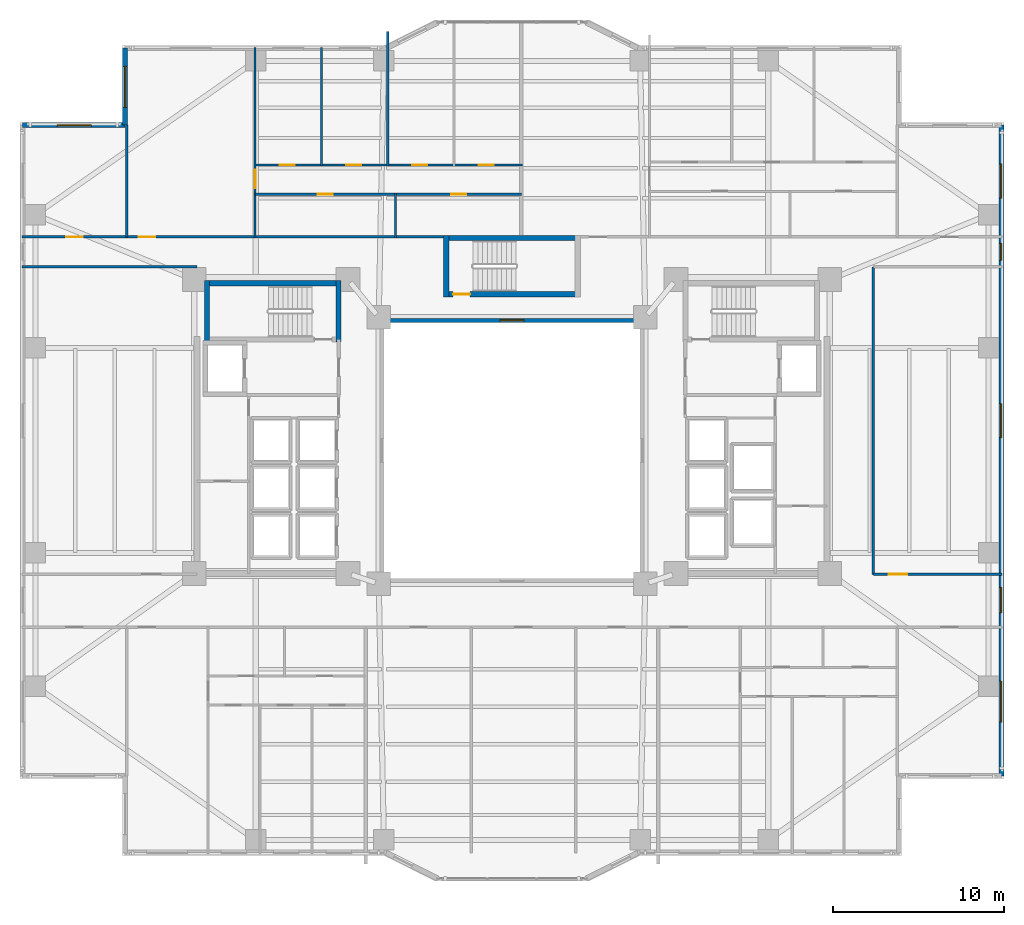
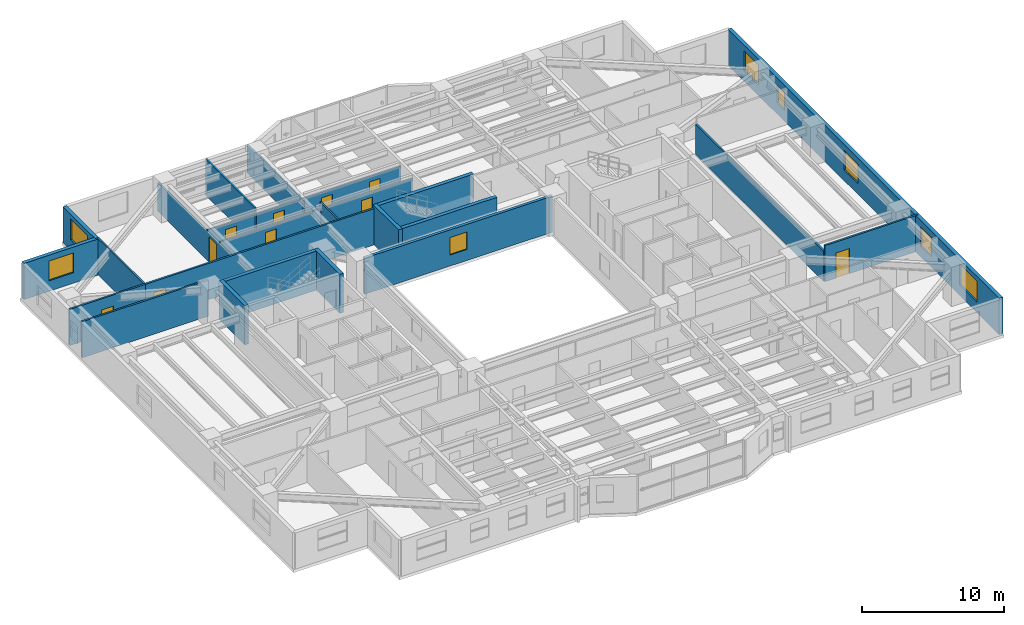
# One storey, part 13 of 20: 23 walls, 11 doors, 8 windows, 19 openings.
"""IFC4 building model written with IfcOpenShell, lengths in metres."""

from ifc_helpers import new_model, si_unit, direction, frame, frame_2d, origin, place, context, subcontext, project, spatial, rectangle, extrude, material, layer, layer_set, type_object, element, fill, save


model = new_model("IFC4")

# Units and contexts
model_context = context("Model", 3, precision=1e-05, world=origin(), true_north=direction((0.0, 1.0)))
body_context = subcontext(model_context, "Body", "Model", "MODEL_VIEW")
ifc_project = project(units=[si_unit("LENGTHUNIT", "METRE"), si_unit("AREAUNIT", "SQUARE_METRE"), si_unit("VOLUMEUNIT", "CUBIC_METRE"), si_unit("PLANEANGLEUNIT", "RADIAN"), si_unit("MASSUNIT", "GRAM", prefix="KILO")], contexts=[model_context])

# Site, building, storey
site_placement = place(None, origin())
site = spatial("IfcSite", under=ifc_project, at=site_placement, CompositionType="ELEMENT")
building_placement = place(site_placement, origin())
building = spatial("IfcBuilding", under=site, at=building_placement, Name="Tarnavaz Court Tower", CompositionType="ELEMENT")
storey_placement = place(building_placement, frame((0.0, 0.0, 34.050048828125)))
storey = spatial("IfcBuildingStorey", under=building, at=storey_placement, Name="L08", CompositionType="ELEMENT", Elevation=34.050048828125)

# Walls
ifc_material_1 = material(Name="Concrete C60/75", Category="concrete")
ifc_layer_1 = layer(ifc_material_1, 0.300048828125)
ifc_layer_set_1 = layer_set([ifc_layer_1], Name="Concrete C60/75")
wall_type_1 = type_object("IfcWallType", Name="WL-CORE-300-C60", PredefinedType="SHEAR", material=ifc_layer_set_1)
wall_1_placement = place(storey_placement, frame((-18.0, 9.7900390625, 0.0), z_axis=(0.0, 0.0, 1.0), x_axis=(1.0, 0.0, 0.0)))
element("IfcWall", 1, at=wall_1_placement, inside=storey, type_object=wall_type_1, Name="L08 West Stair Core Wall 001", PredefinedType="SHEAR", context=body_context, shape_type="SweptSolid", body=[
    extrude(rectangle(XDim=8.0, YDim=0.300048828125, at=frame_2d((4.0, 0.0))), origin(), (0.0, 0.0, 1.0), 3.349853515625),
])
for number, where, z_axis, x_axis, name in (
    (2, (-17.85009765625, 6.35009765625, 0.0), (0.0, 0.0, 1.0), (0.0, 1.0, 0.0), "L08 West Stair Core Wall 003"),
    (3, (-10.14990234375, 6.35009765625, 0.0), (0.0, 0.0, 1.0), (0.0, 1.0, 0.0), "L08 West Stair Core Wall 004"),
):
    element("IfcWall", number, at=place(storey_placement, frame(where, z_axis=z_axis, x_axis=x_axis)), inside=storey, type_object=wall_type_1, Name=name, PredefinedType="SHEAR", context=body_context, shape_type="SweptSolid", body=[
        extrude(rectangle(XDim=3.58984375, YDim=0.300048828125, at=frame_2d((1.794921875, 0.0))), origin(), (0.0, 0.0, 1.0), 3.349853515625),
    ])
wall_2_placement = place(storey_placement, frame((-4.0, 12.43994140625, 0.0), z_axis=(0.0, 0.0, 1.0), x_axis=(1.0, 0.0, 0.0)))
element("IfcWall", 4, at=wall_2_placement, inside=storey, type_object=wall_type_1, Name="L08 North Stair Core Wall 009", PredefinedType="SHEAR", context=body_context, shape_type="SweptSolid", body=[
    extrude(rectangle(XDim=8.0, YDim=0.300048828125, at=frame_2d((4.0, 0.0))), origin(), (0.0, 0.0, 1.0), 3.349853515625),
])

# Wall, opening, door
wall_3_placement = place(storey_placement, frame((-4.0, 9.14990234375, 0.0), z_axis=(0.0, 0.0, 1.0), x_axis=(1.0, 0.0, 0.0)))
wall_3 = element("IfcWall", 5, at=wall_3_placement, inside=storey, type_object=wall_type_1, Name="L08 North Stair Core Wall 010", PredefinedType="SHEAR", context=body_context, shape_type="SweptSolid", body=[
    extrude(rectangle(XDim=8.0, YDim=0.300048828125, at=frame_2d((4.0, 0.0))), origin(), (0.0, 0.0, 1.0), 3.349853515625),
])
opening_1_placement = place(wall_3_placement, frame((0.550048828125, 0.0, 0.0)))
opening_1 = element("IfcOpeningElement", 6, at=opening_1_placement, cuts=wall_3, Name="Opening D01", PredefinedType="OPENING", context=body_context, shape_type="SweptSolid", body=[
    extrude(rectangle(XDim=1.0, YDim=2.14990234375, at=frame_2d((0.5, 1.074951171875))), frame((0.0, 0.159912109375, 0.0), z_axis=(0.0, -1.0, 0.0), x_axis=(1.0, 0.0, 0.0)), (0.0, 0.0, 1.0), 0.320068359375),
])
ifc_material_2 = material(Name="Fire-Rated Hardwood Timber Core", Category="wood")
door_type_1 = type_object("IfcDoorType", Name="DR-FD90-1000", OperationType="NOTDEFINED", PredefinedType="DOOR", material=ifc_material_2)
door_1_placement = place(opening_1_placement, origin())
door_1 = element("IfcDoor", 7, at=door_1_placement, inside=storey, type_object=door_type_1, Name="L08 Stair ST-N1 Exit Door", OperationType="SINGLE_SWING_LEFT", OverallHeight=2.14990234375, OverallWidth=1.0, PredefinedType="DOOR", context=body_context, shape_type="SweptSolid", body=[
    extrude(rectangle(XDim=1.0, YDim=2.14990234375, at=frame_2d((0.5, 1.074951171875))), frame((0.0, 0.02490234375, 0.0), z_axis=(0.0, -1.0, 0.0), x_axis=(1.0, 0.0, 0.0)), (0.0, 0.0, 1.0), 0.050048828125),
])
fill(opening_1, door_1)

# Wall
wall_4_placement = place(storey_placement, frame((-3.85009765625, 9.0, 0.0), z_axis=(0.0, 0.0, 1.0), x_axis=(0.0, 1.0, 0.0)))
element("IfcWall", 8, at=wall_4_placement, inside=storey, type_object=wall_type_1, Name="L08 North Stair Core Wall 011", PredefinedType="SHEAR", context=body_context, shape_type="SweptSolid", body=[
    extrude(rectangle(XDim=3.590087890625, YDim=0.300048828125, at=frame_2d((1.794921875, 0.0))), origin(), (0.0, 0.0, 1.0), 3.349853515625),
])

# Wall, opening, window
ifc_material_3 = material(Name="Precast Concrete C40/50", Category="concrete")
ifc_layer_2 = layer(ifc_material_3, 0.300048828125)
ifc_layer_set_2 = layer_set([ifc_layer_2], Name="Precast Concrete C40/50")
wall_type_2 = type_object("IfcWallType", Name="WL-EXT-300", PredefinedType="SOLIDWALL", material=ifc_layer_set_2)
wall_5_placement = place(storey_placement, frame((-28.64990234375, 19.050048828125, 0.0), z_axis=(0.0, 0.0, 1.0), x_axis=(1.0, 0.0, 0.0)))
wall_5 = element("IfcWall", 9, at=wall_5_placement, inside=storey, type_object=wall_type_2, Name="L08 Exterior Terracotta Facade Wall 03", PredefinedType="SOLIDWALL", context=body_context, shape_type="SweptSolid", body=[
    extrude(rectangle(XDim=6.0, YDim=0.300048828125, at=frame_2d((3.0, 0.0))), origin(), (0.0, 0.0, 1.0), 3.099853515625),
])
opening_2_placement = place(wall_5_placement, frame((2.02490234375, 0.0, 0.89990234375)))
opening_2 = element("IfcOpeningElement", 10, at=opening_2_placement, cuts=wall_5, Name="Opening W08", PredefinedType="OPENING", context=body_context, shape_type="SweptSolid", body=[
    extrude(rectangle(XDim=2.0, YDim=1.699951171875, at=frame_2d((1.0, 0.85009765625))), frame((0.0, 0.159912109375, 0.0), z_axis=(0.0, -1.0, 0.0), x_axis=(1.0, 0.0, 0.0)), (0.0, 0.0, 1.0), 0.320068359375),
])
ifc_material_4 = material(Name="Double-Glazed Solar Low-E Glass", Category="glass")
window_type_1 = type_object("IfcWindowType", Name="WN-APT-2000", PartitioningType="DOUBLE_PANEL_VERTICAL", PredefinedType="WINDOW", material=ifc_material_4)
window_1_placement = place(opening_2_placement, origin())
window_1 = element("IfcWindow", 11, at=window_1_placement, inside=storey, type_object=window_type_1, Name="L08 North-West Corner Sunroom Study Window", OverallHeight=1.699951171875, OverallWidth=2.0, PartitioningType="SINGLE_PANEL", PredefinedType="WINDOW", context=body_context, shape_type="SweptSolid", body=[
    extrude(rectangle(XDim=2.0, YDim=1.699951171875, at=frame_2d((1.0, 0.85009765625))), frame((0.0, 0.030029296875, 0.0), z_axis=(0.0, -1.0, 0.0), x_axis=(1.0, 0.0, 0.0)), (0.0, 0.0, 1.0), 0.06005859375),
])
fill(opening_2, window_1)

wall_6_placement = place(storey_placement, frame((-22.64990234375, 19.050048828125, 0.0), z_axis=(0.0, 0.0, 1.0), x_axis=(0.0, 1.0, 0.0)))
wall_6 = element("IfcWall", 12, at=wall_6_placement, inside=storey, type_object=wall_type_2, Name="L08 Exterior Terracotta Facade Wall 04", PredefinedType="SOLIDWALL", context=body_context, shape_type="SweptSolid", body=[
    extrude(rectangle(XDim=4.5, YDim=0.300048828125, at=frame_2d((2.25, 0.0))), origin(), (0.0, 0.0, 1.0), 3.099853515625),
])
opening_3_placement = place(wall_6_placement, frame((1.032470703125, 0.0, 0.89990234375)))
opening_3 = element("IfcOpeningElement", 13, at=opening_3_placement, cuts=wall_6, Name="Opening W06", PredefinedType="OPENING", context=body_context, shape_type="SweptSolid", body=[
    extrude(rectangle(XDim=2.39990234375, YDim=1.800048828125, at=frame_2d((1.199951171875, 0.89990234375))), frame((0.0, 0.159912109375, 0.0), z_axis=(0.0, -1.0, 0.0), x_axis=(1.0, 0.0, 0.0)), (0.0, 0.0, 1.0), 0.320068359375),
])
window_type_2 = type_object("IfcWindowType", Name="WN-APT-2400", PartitioningType="TRIPLE_PANEL_VERTICAL", PredefinedType="WINDOW", material=ifc_material_4)
window_2_placement = place(opening_3_placement, origin())
window_2 = element("IfcWindow", 14, at=window_2_placement, inside=storey, type_object=window_type_2, Name="L08 Flat 01 Living and Dining Room Window", OverallHeight=1.800048828125, OverallWidth=2.39990234375, PartitioningType="SINGLE_PANEL", PredefinedType="WINDOW", context=body_context, shape_type="SweptSolid", body=[
    extrude(rectangle(XDim=2.39990234375, YDim=1.800048828125, at=frame_2d((1.199951171875, 0.89990234375))), frame((0.0, 0.030029296875, 0.0), z_axis=(0.0, -1.0, 0.0), x_axis=(1.0, 0.0, 0.0)), (0.0, 0.0, 1.0), 0.06005859375),
])
fill(opening_3, window_2)

# Wall, openings, windows
wall_7_placement = place(storey_placement, frame((28.64990234375, 19.050048828125, 0.0), z_axis=(0.0, 0.0, 1.0), x_axis=(0.0, -1.0, 0.0)))
wall_7 = element("IfcWall", 15, at=wall_7_placement, inside=storey, type_object=wall_type_2, Name="L08 Exterior Terracotta Facade Wall 12", PredefinedType="SOLIDWALL", context=body_context, shape_type="SweptSolid", body=[
    extrude(rectangle(XDim=38.10009765625, YDim=0.300048828125, at=frame_2d((19.050048828125, 0.0))), origin(), (0.0, 0.0, 1.0), 3.099853515625),
])
opening_4_placement = place(wall_7_placement, frame((2.27490234375, 0.0, 0.89990234375)))
opening_4 = element("IfcOpeningElement", 16, at=opening_4_placement, cuts=wall_7, Name="Opening W08", PredefinedType="OPENING", context=body_context, shape_type="SweptSolid", body=[
    extrude(rectangle(XDim=2.0, YDim=1.699951171875, at=frame_2d((1.0, 0.85009765625))), frame((0.0, 0.159912109375, 0.0), z_axis=(0.0, -1.0, 0.0), x_axis=(1.0, 0.0, 0.0)), (0.0, 0.0, 1.0), 0.320068359375),
])
opening_5_placement = place(wall_7_placement, frame((6.925048828125, 0.0, 0.949951171875)))
opening_5 = element("IfcOpeningElement", 17, at=opening_5_placement, cuts=wall_7, Name="Opening W14", PredefinedType="OPENING", context=body_context, shape_type="SweptSolid", body=[
    extrude(rectangle(XDim=1.0, YDim=1.5, at=frame_2d((0.5, 0.75))), frame((0.0, 0.159912109375, 0.0), z_axis=(0.0, -1.0, 0.0), x_axis=(1.0, 0.0, 0.0)), (0.0, 0.0, 1.0), 0.320068359375),
])
opening_6_placement = place(wall_7_placement, frame((16.300048828125, 0.0, 0.89990234375)))
opening_6 = element("IfcOpeningElement", 18, at=opening_6_placement, cuts=wall_7, Name="Opening W08", PredefinedType="OPENING", context=body_context, shape_type="SweptSolid", body=[
    extrude(rectangle(XDim=2.0, YDim=1.699951171875, at=frame_2d((1.0, 0.85009765625))), frame((0.0, 0.159912109375, 0.0), z_axis=(0.0, -1.0, 0.0), x_axis=(1.0, 0.0, 0.0)), (0.0, 0.0, 1.0), 0.320068359375),
])
opening_7_placement = place(wall_7_placement, frame((27.0576171875, 0.0, 0.89990234375)))
opening_7 = element("IfcOpeningElement", 19, at=opening_7_placement, cuts=wall_7, Name="Opening W03", PredefinedType="OPENING", context=body_context, shape_type="SweptSolid", body=[
    extrude(rectangle(XDim=1.5, YDim=1.64990234375, at=frame_2d((0.75, 0.824951171875))), frame((0.0, 0.159912109375, 0.0), z_axis=(0.0, -1.0, 0.0), x_axis=(1.0, 0.0, 0.0)), (0.0, 0.0, 1.0), 0.320068359375),
])
opening_8_placement = place(wall_7_placement, frame((32.550048828125, 0.0, 0.89990234375)))
opening_8 = element("IfcOpeningElement", 20, at=opening_8_placement, cuts=wall_7, Name="Opening W06", PredefinedType="OPENING", context=body_context, shape_type="SweptSolid", body=[
    extrude(rectangle(XDim=2.39990234375, YDim=1.800048828125, at=frame_2d((1.199951171875, 0.89990234375))), frame((0.0, 0.159912109375, 0.0), z_axis=(0.0, -1.0, 0.0), x_axis=(1.0, 0.0, 0.0)), (0.0, 0.0, 1.0), 0.320068359375),
])
window_type_3 = type_object("IfcWindowType", Name="WN-APT-1000", PartitioningType="SINGLE_PANEL", PredefinedType="WINDOW", material=ifc_material_4)
window_3_placement = place(opening_5_placement, origin())
window_3 = element("IfcWindow", 21, at=window_3_placement, inside=storey, type_object=window_type_3, Name="L08 North-East Corner Corridor Window", OverallHeight=1.5, OverallWidth=1.0, PartitioningType="SINGLE_PANEL", PredefinedType="WINDOW", context=body_context, shape_type="SweptSolid", body=[
    extrude(rectangle(XDim=1.0, YDim=1.5, at=frame_2d((0.5, 0.75))), frame((0.0, 0.030029296875, 0.0), z_axis=(0.0, -1.0, 0.0), x_axis=(1.0, 0.0, 0.0)), (0.0, 0.0, 1.0), 0.06005859375),
])
fill(opening_5, window_3)
window_type_4 = type_object("IfcWindowType", Name="WN-APT-1500", PartitioningType="DOUBLE_PANEL_VERTICAL", PredefinedType="WINDOW", material=ifc_material_4)
window_4_placement = place(opening_7_placement, origin())
window_4 = element("IfcWindow", 22, at=window_4_placement, inside=storey, type_object=window_type_4, Name="L08 South-East Corner Corridor Window", OverallHeight=1.64990234375, OverallWidth=1.5, PartitioningType="SINGLE_PANEL", PredefinedType="WINDOW", context=body_context, shape_type="SweptSolid", body=[
    extrude(rectangle(XDim=1.5, YDim=1.64990234375, at=frame_2d((0.75, 0.824951171875))), frame((0.0, 0.030029296875, 0.0), z_axis=(0.0, -1.0, 0.0), x_axis=(1.0, 0.0, 0.0)), (0.0, 0.0, 1.0), 0.06005859375),
])
fill(opening_7, window_4)
window_5_placement = place(opening_4_placement, origin())
window_5 = element("IfcWindow", 23, at=window_5_placement, inside=storey, type_object=window_type_1, Name="L08 North-East Corner Sunroom Study Window", OverallHeight=1.699951171875, OverallWidth=2.0, PartitioningType="SINGLE_PANEL", PredefinedType="WINDOW", context=body_context, shape_type="SweptSolid", body=[
    extrude(rectangle(XDim=2.0, YDim=1.699951171875, at=frame_2d((1.0, 0.85009765625))), frame((0.0, 0.030029296875, 0.0), z_axis=(0.0, -1.0, 0.0), x_axis=(1.0, 0.0, 0.0)), (0.0, 0.0, 1.0), 0.06005859375),
])
fill(opening_4, window_5)
window_6_placement = place(opening_6_placement, origin())
window_6 = element("IfcWindow", 24, at=window_6_placement, inside=storey, type_object=window_type_1, Name="L08 East Wing Resident Fitness Lounge Window", OverallHeight=1.699951171875, OverallWidth=2.0, PartitioningType="SINGLE_PANEL", PredefinedType="WINDOW", context=body_context, shape_type="SweptSolid", body=[
    extrude(rectangle(XDim=2.0, YDim=1.699951171875, at=frame_2d((1.0, 0.85009765625))), frame((0.0, 0.030029296875, 0.0), z_axis=(0.0, -1.0, 0.0), x_axis=(1.0, 0.0, 0.0)), (0.0, 0.0, 1.0), 0.06005859375),
])
fill(opening_6, window_6)
window_7_placement = place(opening_8_placement, origin())
window_7 = element("IfcWindow", 25, at=window_7_placement, inside=storey, type_object=window_type_2, Name="L08 South-East Corner Reading Room Window", OverallHeight=1.800048828125, OverallWidth=2.39990234375, PartitioningType="SINGLE_PANEL", PredefinedType="WINDOW", context=body_context, shape_type="SweptSolid", body=[
    extrude(rectangle(XDim=2.39990234375, YDim=1.800048828125, at=frame_2d((1.199951171875, 0.89990234375))), frame((0.0, 0.030029296875, 0.0), z_axis=(0.0, -1.0, 0.0), x_axis=(1.0, 0.0, 0.0)), (0.0, 0.0, 1.0), 0.06005859375),
])
fill(opening_8, window_7)

# Wall, opening, door
ifc_material_5 = material(Name="Gypsum Fire-Board on Acoustic Metal Stud", Category="masonry")
ifc_layer_3 = layer(ifc_material_5, 0.14990234375)
ifc_layer_set_3 = layer_set([ifc_layer_3], Name="Gypsum Fire-Board on Acoustic Metal Stud")
wall_type_3 = type_object("IfcWallType", Name="WL-FIRE-150", PredefinedType="PARTITIONING", material=ifc_layer_set_3)
wall_8_placement = place(storey_placement, frame((-22.550048828125, 12.5, 0.0), z_axis=(0.0, 0.0, 1.0), x_axis=(1.0, 0.0, 0.0)))
wall_8 = element("IfcWall", 26, at=wall_8_placement, inside=storey, type_object=wall_type_3, Name="L08 NW Wing Corridor Wall 081", PredefinedType="PARTITIONING", context=body_context, shape_type="SweptSolid", body=[
    extrude(rectangle(XDim=18.699951171875, YDim=0.14990234375, at=frame_2d((9.35009765625, 0.0))), origin(), (0.0, 0.0, 1.0), 3.099853515625),
])
opening_9_placement = place(wall_8_placement, frame((0.699951171875, 0.0, 0.0)))
opening_9 = element("IfcOpeningElement", 27, at=opening_9_placement, cuts=wall_8, Name="Opening D06", PredefinedType="OPENING", context=body_context, shape_type="SweptSolid", body=[
    extrude(rectangle(XDim=0.9599609375, YDim=2.14990234375, at=frame_2d((0.47998046875, 1.074951171875))), frame((0.0, 0.0849609375, 0.0), z_axis=(0.0, -1.0, 0.0), x_axis=(1.0, 0.0, 0.0)), (0.0, 0.0, 1.0), 0.169921875),
])
door_type_2 = type_object("IfcDoorType", Name="DR-FD60-950", OperationType="NOTDEFINED", PredefinedType="DOOR", material=ifc_material_2)
door_2_placement = place(opening_9_placement, origin())
door_2 = element("IfcDoor", 28, at=door_2_placement, inside=storey, type_object=door_type_2, Name="L08 Flat 01 Entrance Door", OperationType="SINGLE_SWING_LEFT", OverallHeight=2.14990234375, OverallWidth=0.9599609375, PredefinedType="DOOR", context=body_context, shape_type="SweptSolid", body=[
    extrude(rectangle(XDim=0.9599609375, YDim=2.14990234375, at=frame_2d((0.47998046875, 1.074951171875))), frame((0.0, 0.02490234375, 0.0), z_axis=(0.0, -1.0, 0.0), x_axis=(1.0, 0.0, 0.0)), (0.0, 0.0, 1.0), 0.050048828125),
])
fill(opening_9, door_2)

# Walls
wall_9_placement = place(storey_placement, frame((21.14990234375, -7.25, 0.0), z_axis=(0.0, 0.0, 1.0), x_axis=(0.0, 1.0, 0.0)))
element("IfcWall", 29, at=wall_9_placement, inside=storey, type_object=wall_type_3, Name="L08 East Outer Link Wall 083", PredefinedType="PARTITIONING", context=body_context, shape_type="SweptSolid", body=[
    extrude(rectangle(XDim=18.0, YDim=0.14990234375, at=frame_2d((9.0, 0.0))), origin(), (0.0, 0.0, 1.0), 2.5849609375),
])
wall_10_placement = place(storey_placement, frame((-28.679931640625, 10.75, 0.0), z_axis=(0.0, 0.0, 1.0), x_axis=(1.0, 0.0, 0.0)))
element("IfcWall", 30, at=wall_10_placement, inside=storey, type_object=wall_type_3, Name="L08 Interior Partition 122", PredefinedType="PARTITIONING", context=body_context, shape_type="SweptSolid", body=[
    extrude(rectangle(XDim=10.22998046875, YDim=0.14990234375, at=frame_2d((5.114990234375, 0.0))), origin(), (0.0, 0.0, 1.0), 3.099853515625),
])

# Wall, opening, door
wall_11_placement = place(storey_placement, frame((21.14990234375, -7.25, 0.0), z_axis=(0.0, 0.0, 1.0), x_axis=(1.0, 0.0, 0.0)))
wall_11 = element("IfcWall", 31, at=wall_11_placement, inside=storey, type_object=wall_type_3, Name="L08 Interior Partition 123", PredefinedType="PARTITIONING", context=body_context, shape_type="SweptSolid", body=[
    extrude(rectangle(XDim=7.530029296875, YDim=0.14990234375, at=frame_2d((3.76513671875, 0.0))), origin(), (0.0, 0.0, 1.0), 3.099853515625),
])
opening_10_placement = place(wall_11_placement, frame((0.89990234375, 0.0, 0.0)))
opening_10 = element("IfcOpeningElement", 32, at=opening_10_placement, cuts=wall_11, Name="Opening D12", PredefinedType="OPENING", context=body_context, shape_type="SweptSolid", body=[
    extrude(rectangle(XDim=1.080078125, YDim=2.14990234375, at=frame_2d((0.5400390625, 1.074951171875))), frame((0.0, 0.0849609375, 0.0), z_axis=(0.0, -1.0, 0.0), x_axis=(1.0, 0.0, 0.0)), (0.0, 0.0, 1.0), 0.169921875),
])
ifc_material_6 = material(Name="Engineered Oak Timber", Category="wood")
door_type_3 = type_object("IfcDoorType", Name="DR-INT-1100", OperationType="NOTDEFINED", PredefinedType="DOOR", material=ifc_material_6)
door_3_placement = place(opening_10_placement, origin())
door_3 = element("IfcDoor", 33, at=door_3_placement, inside=storey, type_object=door_type_3, Name="L08 East Fitness Lounge Door", OperationType="SINGLE_SWING_RIGHT", OverallHeight=2.14990234375, OverallWidth=1.080078125, PredefinedType="DOOR", context=body_context, shape_type="SweptSolid", body=[
    extrude(rectangle(XDim=1.080078125, YDim=2.14990234375, at=frame_2d((0.5400390625, 1.074951171875))), frame((0.0, 0.02490234375, 0.0), z_axis=(0.0, -1.0, 0.0), x_axis=(1.0, 0.0, 0.0)), (0.0, 0.0, 1.0), 0.050048828125),
])
fill(opening_10, door_3)

wall_12_placement = place(storey_placement, frame((-28.679931640625, 12.5, 0.0), z_axis=(0.0, 0.0, 1.0), x_axis=(1.0, 0.0, 0.0)))
wall_12 = element("IfcWall", 34, at=wall_12_placement, inside=storey, type_object=wall_type_3, Name="L08 Interior Partition 129", PredefinedType="PARTITIONING", context=body_context, shape_type="SweptSolid", body=[
    extrude(rectangle(XDim=6.1298828125, YDim=0.14990234375, at=frame_2d((3.06494140625, 0.0))), origin(), (0.0, 0.0, 1.0), 3.099853515625),
])
opening_11_placement = place(wall_12_placement, frame((2.590087890625, 0.0, 0.0)))
opening_11 = element("IfcOpeningElement", 35, at=opening_11_placement, cuts=wall_12, Name="Opening D13", PredefinedType="OPENING", context=body_context, shape_type="SweptSolid", body=[
    extrude(rectangle(XDim=0.949951171875, YDim=2.14990234375, at=frame_2d((0.47509765625, 1.074951171875))), frame((0.0, 0.0849609375, 0.0), z_axis=(0.0, -1.0, 0.0), x_axis=(1.0, 0.0, 0.0)), (0.0, 0.0, 1.0), 0.169921875),
])
door_type_4 = type_object("IfcDoorType", Name="DR-INT-950", OperationType="NOTDEFINED", PredefinedType="DOOR", material=ifc_material_6)
door_4_placement = place(opening_11_placement, origin())
door_4 = element("IfcDoor", 36, at=door_4_placement, inside=storey, type_object=door_type_4, Name="L08 NW Sunroom Door", OperationType="SINGLE_SWING_LEFT", OverallHeight=2.14990234375, OverallWidth=0.949951171875, PredefinedType="DOOR", context=body_context, shape_type="SweptSolid", body=[
    extrude(rectangle(XDim=0.949951171875, YDim=2.14990234375, at=frame_2d((0.47509765625, 1.074951171875))), frame((0.0, 0.02490234375, 0.0), z_axis=(0.0, -1.0, 0.0), x_axis=(1.0, 0.0, 0.0)), (0.0, 0.0, 1.0), 0.050048828125),
])
fill(opening_11, door_4)

ifc_material_7 = material(Name="Moisture-Resistant Gypsum Board Partition", Category="masonry")
ifc_layer_4 = layer(ifc_material_7, 0.1201171875)
ifc_layer_set_4 = layer_set([ifc_layer_4], Name="Moisture-Resistant Gypsum Board Partition")
wall_type_4 = type_object("IfcWallType", Name="WL-PART-120", PredefinedType="PARTITIONING", material=ifc_layer_set_4)
wall_13_placement = place(storey_placement, frame((-15.034912109375, 12.43994140625, 0.0), z_axis=(0.0, 0.0, 1.0), x_axis=(0.0, 1.0, 0.0)))
wall_13 = element("IfcWall", 37, at=wall_13_placement, inside=storey, type_object=wall_type_4, Name="L08 Interior Partition 088", PredefinedType="PARTITIONING", context=body_context, shape_type="SweptSolid", body=[
    extrude(rectangle(XDim=11.16015625, YDim=0.1201171875, at=frame_2d((5.580078125, 0.0))), origin(), (0.0, 0.0, 1.0), 2.43505859375),
])
opening_12_placement = place(wall_13_placement, frame((2.905029296875, 0.0, 0.0)))
opening_12 = element("IfcOpeningElement", 38, at=opening_12_placement, cuts=wall_13, Name="Opening D12", PredefinedType="OPENING", context=body_context, shape_type="SweptSolid", body=[
    extrude(rectangle(XDim=1.080078125, YDim=2.14990234375, at=frame_2d((0.5400390625, 1.074951171875))), frame((0.0, 0.070068359375, 0.0), z_axis=(0.0, -1.0, 0.0), x_axis=(1.0, 0.0, 0.0)), (0.0, 0.0, 1.0), 0.14013671875),
])
door_5_placement = place(opening_12_placement, origin())
door_5 = element("IfcDoor", 39, at=door_5_placement, inside=storey, type_object=door_type_3, Name="L08 Flat 01 Foyer Door", OperationType="SINGLE_SWING_RIGHT", OverallHeight=2.14990234375, OverallWidth=1.080078125, PredefinedType="DOOR", context=body_context, shape_type="SweptSolid", body=[
    extrude(rectangle(XDim=1.080078125, YDim=2.14990234375, at=frame_2d((0.5400390625, 1.074951171875))), frame((0.0, 0.02490234375, 0.0), z_axis=(0.0, -1.0, 0.0), x_axis=(1.0, 0.0, 0.0)), (0.0, 0.0, 1.0), 0.050048828125),
])
fill(opening_12, door_5)

wall_14_placement = place(storey_placement, frame((-15.034912109375, 15.0, 0.0), z_axis=(0.0, 0.0, 1.0), x_axis=(1.0, 0.0, 0.0)))
wall_14 = element("IfcWall", 40, at=wall_14_placement, inside=storey, type_object=wall_type_4, Name="L08 Interior Partition 089", PredefinedType="PARTITIONING", context=body_context, shape_type="SweptSolid", body=[
    extrude(rectangle(XDim=8.22802734375, YDim=0.1201171875, at=frame_2d((4.114013671875, 0.0))), origin(), (0.0, 0.0, 1.0), 2.5849609375),
])
opening_13_placement = place(wall_14_placement, frame((3.674072265625, 0.0, 0.0)))
opening_13 = element("IfcOpeningElement", 41, at=opening_13_placement, cuts=wall_14, Name="Opening D14", PredefinedType="OPENING", context=body_context, shape_type="SweptSolid", body=[
    extrude(rectangle(XDim=0.8798828125, YDim=2.10009765625, at=frame_2d((0.43994140625, 1.050048828125))), frame((0.0, 0.070068359375, 0.0), z_axis=(0.0, -1.0, 0.0), x_axis=(1.0, 0.0, 0.0)), (0.0, 0.0, 1.0), 0.14013671875),
])
door_type_5 = type_object("IfcDoorType", Name="DR-INT-900", OperationType="NOTDEFINED", PredefinedType="DOOR", material=ifc_material_6)
door_6_placement = place(opening_13_placement, origin())
door_6 = element("IfcDoor", 42, at=door_6_placement, inside=storey, type_object=door_type_5, Name="L08 Flat 01 Kitchen Door", OperationType="SINGLE_SWING_LEFT", OverallHeight=2.10009765625, OverallWidth=0.8798828125, PredefinedType="DOOR", context=body_context, shape_type="SweptSolid", body=[
    extrude(rectangle(XDim=0.8798828125, YDim=2.10009765625, at=frame_2d((0.43994140625, 1.050048828125))), frame((0.0, 0.02490234375, 0.0), z_axis=(0.0, -1.0, 0.0), x_axis=(1.0, 0.0, 0.0)), (0.0, 0.0, 1.0), 0.050048828125),
])
fill(opening_13, door_6)

wall_15_placement = place(storey_placement, frame((-6.806884765625, 15.0, 0.0), z_axis=(0.0, 0.0, 1.0), x_axis=(1.0, 0.0, 0.0)))
wall_15 = element("IfcWall", 43, at=wall_15_placement, inside=storey, type_object=wall_type_4, Name="L08 Interior Partition 090", PredefinedType="PARTITIONING", context=body_context, shape_type="SweptSolid", body=[
    extrude(rectangle(XDim=7.35693359375, YDim=0.1201171875, at=frame_2d((3.678466796875, 0.0))), origin(), (0.0, 0.0, 1.0), 2.5849609375),
])
opening_14_placement = place(wall_15_placement, frame((3.239013671875, 0.0, 0.0)))
opening_14 = element("IfcOpeningElement", 44, at=opening_14_placement, cuts=wall_15, Name="Opening D14", PredefinedType="OPENING", context=body_context, shape_type="SweptSolid", body=[
    extrude(rectangle(XDim=0.8798828125, YDim=2.10009765625, at=frame_2d((0.43994140625, 1.050048828125))), frame((0.0, 0.070068359375, 0.0), z_axis=(0.0, -1.0, 0.0), x_axis=(1.0, 0.0, 0.0)), (0.0, 0.0, 1.0), 0.14013671875),
])
door_7_placement = place(opening_14_placement, origin())
door_7 = element("IfcDoor", 45, at=door_7_placement, inside=storey, type_object=door_type_5, Name="L08 Flat 01 Bathroom Door", OperationType="SINGLE_SWING_RIGHT", OverallHeight=2.10009765625, OverallWidth=0.8798828125, PredefinedType="DOOR", context=body_context, shape_type="SweptSolid", body=[
    extrude(rectangle(XDim=0.8798828125, YDim=2.10009765625, at=frame_2d((0.43994140625, 1.050048828125))), frame((0.0, 0.02490234375, 0.0), z_axis=(0.0, -1.0, 0.0), x_axis=(1.0, 0.0, 0.0)), (0.0, 0.0, 1.0), 0.050048828125),
])
fill(opening_14, door_7)

# Wall, openings, doors
wall_16_placement = place(storey_placement, frame((-15.094970703125, 16.7099609375, 0.0), z_axis=(0.0, 0.0, 1.0), x_axis=(1.0, 0.0, 0.0)))
wall_16 = element("IfcWall", 46, at=wall_16_placement, inside=storey, type_object=wall_type_4, Name="L08 Interior Partition 091", PredefinedType="PARTITIONING", context=body_context, shape_type="SweptSolid", body=[
    extrude(rectangle(XDim=15.705078125, YDim=0.1201171875, at=frame_2d((7.8525390625, 0.0))), origin(), (0.0, 0.0, 1.0), 2.5849609375),
])
opening_15_placement = place(wall_16_placement, frame((1.5009765625, 0.0, 0.0)))
opening_15 = element("IfcOpeningElement", 47, at=opening_15_placement, cuts=wall_16, Name="Opening D14", PredefinedType="OPENING", context=body_context, shape_type="SweptSolid", body=[
    extrude(rectangle(XDim=0.8798828125, YDim=2.10009765625, at=frame_2d((0.43994140625, 1.050048828125))), frame((0.0, 0.070068359375, 0.0), z_axis=(0.0, -1.0, 0.0), x_axis=(1.0, 0.0, 0.0)), (0.0, 0.0, 1.0), 0.14013671875),
])
opening_16_placement = place(wall_16_placement, frame((5.382080078125, 0.0, 0.0)))
opening_16 = element("IfcOpeningElement", 48, at=opening_16_placement, cuts=wall_16, Name="Opening D14", PredefinedType="OPENING", context=body_context, shape_type="SweptSolid", body=[
    extrude(rectangle(XDim=0.8798828125, YDim=2.10009765625, at=frame_2d((0.43994140625, 1.050048828125))), frame((0.0, 0.070068359375, 0.0), z_axis=(0.0, -1.0, 0.0), x_axis=(1.0, 0.0, 0.0)), (0.0, 0.0, 1.0), 0.14013671875),
])
opening_17_placement = place(wall_16_placement, frame((9.262939453125, 0.0, 0.0)))
opening_17 = element("IfcOpeningElement", 49, at=opening_17_placement, cuts=wall_16, Name="Opening D14", PredefinedType="OPENING", context=body_context, shape_type="SweptSolid", body=[
    extrude(rectangle(XDim=0.8798828125, YDim=2.10009765625, at=frame_2d((0.43994140625, 1.050048828125))), frame((0.0, 0.070068359375, 0.0), z_axis=(0.0, -1.0, 0.0), x_axis=(1.0, 0.0, 0.0)), (0.0, 0.0, 1.0), 0.14013671875),
])
opening_18_placement = place(wall_16_placement, frame((13.14404296875, 0.0, 0.0)))
opening_18 = element("IfcOpeningElement", 50, at=opening_18_placement, cuts=wall_16, Name="Opening D14", PredefinedType="OPENING", context=body_context, shape_type="SweptSolid", body=[
    extrude(rectangle(XDim=0.8798828125, YDim=2.10009765625, at=frame_2d((0.43994140625, 1.050048828125))), frame((0.0, 0.070068359375, 0.0), z_axis=(0.0, -1.0, 0.0), x_axis=(1.0, 0.0, 0.0)), (0.0, 0.0, 1.0), 0.14013671875),
])
door_8_placement = place(opening_15_placement, origin())
door_8 = element("IfcDoor", 51, at=door_8_placement, inside=storey, type_object=door_type_5, Name="L08 Flat 01 Bedroom 1 Door", OperationType="SINGLE_SWING_LEFT", OverallHeight=2.10009765625, OverallWidth=0.8798828125, PredefinedType="DOOR", context=body_context, shape_type="SweptSolid", body=[
    extrude(rectangle(XDim=0.8798828125, YDim=2.10009765625, at=frame_2d((0.43994140625, 1.050048828125))), frame((0.0, 0.02490234375, 0.0), z_axis=(0.0, -1.0, 0.0), x_axis=(1.0, 0.0, 0.0)), (0.0, 0.0, 1.0), 0.050048828125),
])
fill(opening_15, door_8)
door_9_placement = place(opening_16_placement, origin())
door_9 = element("IfcDoor", 52, at=door_9_placement, inside=storey, type_object=door_type_5, Name="L08 Flat 01 Bedroom 2 Door", OperationType="SINGLE_SWING_RIGHT", OverallHeight=2.10009765625, OverallWidth=0.8798828125, PredefinedType="DOOR", context=body_context, shape_type="SweptSolid", body=[
    extrude(rectangle(XDim=0.8798828125, YDim=2.10009765625, at=frame_2d((0.43994140625, 1.050048828125))), frame((0.0, 0.02490234375, 0.0), z_axis=(0.0, -1.0, 0.0), x_axis=(1.0, 0.0, 0.0)), (0.0, 0.0, 1.0), 0.050048828125),
])
fill(opening_16, door_9)
door_10_placement = place(opening_17_placement, origin())
door_10 = element("IfcDoor", 53, at=door_10_placement, inside=storey, type_object=door_type_5, Name="L08 Flat 01 Bedroom 3 Door", OperationType="SINGLE_SWING_LEFT", OverallHeight=2.10009765625, OverallWidth=0.8798828125, PredefinedType="DOOR", context=body_context, shape_type="SweptSolid", body=[
    extrude(rectangle(XDim=0.8798828125, YDim=2.10009765625, at=frame_2d((0.43994140625, 1.050048828125))), frame((0.0, 0.02490234375, 0.0), z_axis=(0.0, -1.0, 0.0), x_axis=(1.0, 0.0, 0.0)), (0.0, 0.0, 1.0), 0.050048828125),
])
fill(opening_17, door_10)
door_11_placement = place(opening_18_placement, origin())
door_11 = element("IfcDoor", 54, at=door_11_placement, inside=storey, type_object=door_type_5, Name="L08 Flat 01 Bedroom 4 Door", OperationType="SINGLE_SWING_RIGHT", OverallHeight=2.10009765625, OverallWidth=0.8798828125, PredefinedType="DOOR", context=body_context, shape_type="SweptSolid", body=[
    extrude(rectangle(XDim=0.8798828125, YDim=2.10009765625, at=frame_2d((0.43994140625, 1.050048828125))), frame((0.0, 0.02490234375, 0.0), z_axis=(0.0, -1.0, 0.0), x_axis=(1.0, 0.0, 0.0)), (0.0, 0.0, 1.0), 0.050048828125),
])
fill(opening_18, door_11)

# Walls
wall_17_placement = place(storey_placement, frame((-6.806884765625, 12.43994140625, 0.0), z_axis=(0.0, 0.0, 1.0), x_axis=(0.0, 1.0, 0.0)))
element("IfcWall", 55, at=wall_17_placement, inside=storey, type_object=wall_type_4, Name="L08 Interior Partition 092", PredefinedType="PARTITIONING", context=body_context, shape_type="SweptSolid", body=[
    extrude(rectangle(XDim=2.6201171875, YDim=0.1201171875, at=frame_2d((1.31005859375, 0.0))), origin(), (0.0, 0.0, 1.0), 3.099853515625),
])
wall_18_placement = place(storey_placement, frame((-11.154052734375, 16.64990234375, 0.0), z_axis=(0.0, 0.0, 1.0), x_axis=(0.0, 1.0, 0.0)))
element("IfcWall", 56, at=wall_18_placement, inside=storey, type_object=wall_type_4, Name="L08 Interior Partition 093", PredefinedType="PARTITIONING", context=body_context, shape_type="SweptSolid", body=[
    extrude(rectangle(XDim=6.9501953125, YDim=0.1201171875, at=frame_2d((3.47509765625, 0.0))), origin(), (0.0, 0.0, 1.0), 3.099853515625),
])
wall_19_placement = place(storey_placement, frame((-7.27197265625, 16.64990234375, 0.0), z_axis=(0.0, 0.0, 1.0), x_axis=(0.0, 1.0, 0.0)))
element("IfcWall", 57, at=wall_19_placement, inside=storey, type_object=wall_type_4, Name="L08 Interior Partition 094", PredefinedType="PARTITIONING", context=body_context, shape_type="SweptSolid", body=[
    extrude(rectangle(XDim=7.8701171875, YDim=0.1201171875, at=frame_2d((3.93505859375, 0.0))), origin(), (0.0, 0.0, 1.0), 2.43505859375),
])
ifc_material_8 = material(Name="Gypsum Plasterboard Acoustic Partition", Category="masonry")
ifc_layer_5 = layer(ifc_material_8, 0.139892578125)
ifc_layer_set_5 = layer_set([ifc_layer_5], Name="Gypsum Plasterboard Acoustic Partition")
wall_type_5 = type_object("IfcWallType", Name="WL-PART-150", PredefinedType="PARTITIONING", material=ifc_layer_set_5)
wall_20_placement = place(storey_placement, frame((-22.550048828125, 12.5, 0.0), z_axis=(0.0, 0.0, 1.0), x_axis=(0.0, 1.0, 0.0)))
element("IfcWall", 58, at=wall_20_placement, inside=storey, type_object=wall_type_5, Name="L08 Interior Partition 127", PredefinedType="PARTITIONING", context=body_context, shape_type="SweptSolid", body=[
    extrude(rectangle(XDim=6.550048828125, YDim=0.139892578125, at=frame_2d((3.27490234375, 0.0))), origin(), (0.0, 0.0, 1.0), 3.099853515625),
])

# Wall, opening, window
ifc_layer_6 = layer(ifc_material_3, 0.239990234375)
ifc_layer_set_6 = layer_set([ifc_layer_6], Name="Precast Concrete C40/50")
wall_type_6 = type_object("IfcWallType", Name="WL-WELL-240", PredefinedType="SOLIDWALL", material=ifc_layer_set_6)
wall_21_placement = place(storey_placement, frame((7.6201171875, 7.6201171875, 0.0), z_axis=(0.0, 0.0, 1.0), x_axis=(-1.0, 0.0, 0.0)))
wall_21 = element("IfcWall", 59, at=wall_21_placement, inside=storey, type_object=wall_type_6, Name="L08 Badgir Light-Well Exterior Wall N", PredefinedType="SOLIDWALL", context=body_context, shape_type="SweptSolid", body=[
    extrude(rectangle(XDim=15.240234375, YDim=0.239990234375, at=frame_2d((7.6201171875, 0.0))), origin(), (0.0, 0.0, 1.0), 3.099853515625),
])
opening_19_placement = place(wall_21_placement, frame((6.919921875, 0.0, 0.949951171875)))
opening_19 = element("IfcOpeningElement", 60, at=opening_19_placement, cuts=wall_21, Name="Opening W13", PredefinedType="OPENING", context=body_context, shape_type="SweptSolid", body=[
    extrude(rectangle(XDim=1.39990234375, YDim=1.5, at=frame_2d((0.699951171875, 0.75))), frame((0.0, 0.1298828125, 0.0), z_axis=(0.0, -1.0, 0.0), x_axis=(1.0, 0.0, 0.0)), (0.0, 0.0, 1.0), 0.260009765625),
])
window_type_5 = type_object("IfcWindowType", Name="WN-WEL-1400", PartitioningType="SINGLE_PANEL", PredefinedType="WINDOW", material=ifc_material_4)
window_8_placement = place(opening_19_placement, origin())
window_8 = element("IfcWindow", 61, at=window_8_placement, inside=storey, type_object=window_type_5, Name="L08 Courtyard Gallery Window N", OverallHeight=1.5, OverallWidth=1.39990234375, PartitioningType="SINGLE_PANEL", PredefinedType="WINDOW", context=body_context, shape_type="SweptSolid", body=[
    extrude(rectangle(XDim=1.39990234375, YDim=1.5, at=frame_2d((0.699951171875, 0.75))), frame((0.0, 0.030029296875, 0.0), z_axis=(0.0, -1.0, 0.0), x_axis=(1.0, 0.0, 0.0)), (0.0, 0.0, 1.0), 0.06005859375),
])
fill(opening_19, window_8)

save(model, "model.ifc")
